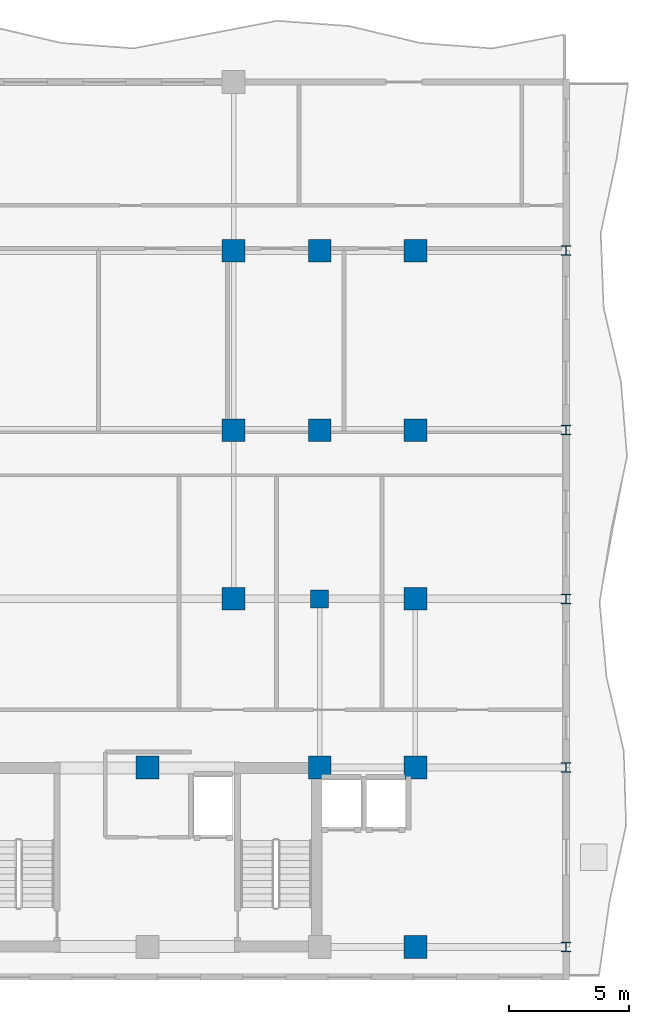
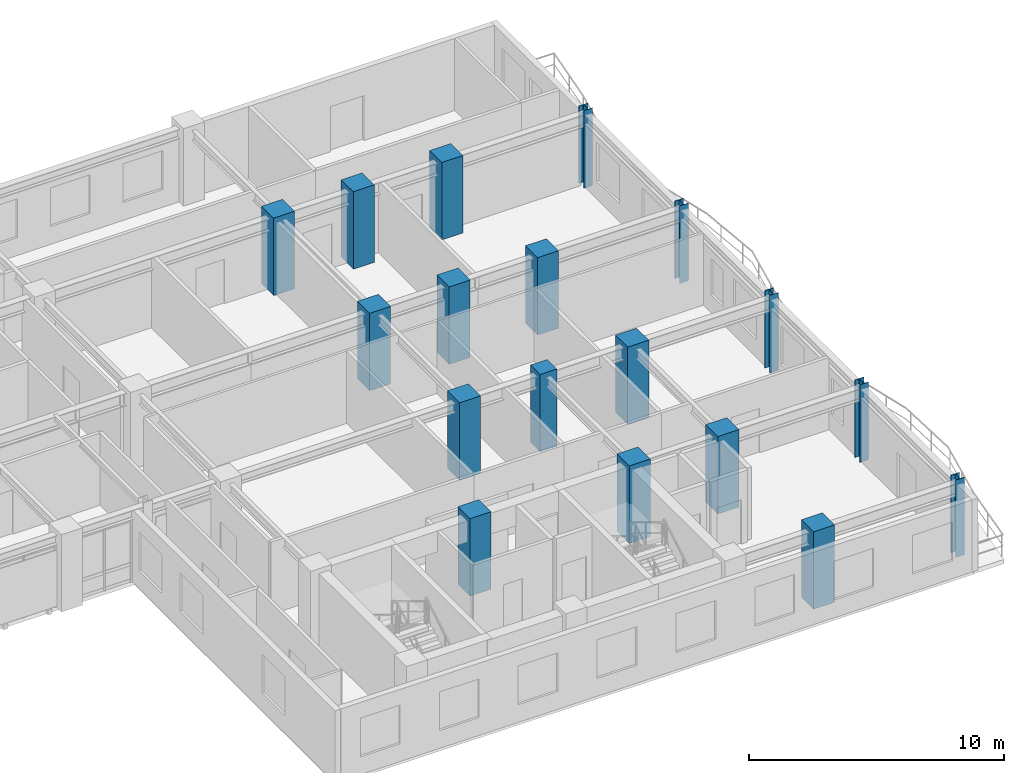
# One storey, part 2 of 16: 18 columns.
"""IFC4 building model written with IfcOpenShell, lengths in metres."""

from ifc_helpers import new_model, si_unit, direction, frame, origin, origin_2d, place, context, subcontext, project, spatial, rectangle, i_section, extrude, source, transform, mapped, material, material_profile, profile_set, type_object, element, save


model = new_model("IFC4")

# Units and contexts
model_context = context("Model", 3, precision=1e-05, world=origin(), true_north=direction((0.0, 1.0)))
body_context = subcontext(model_context, "Body", "Model", "MODEL_VIEW")
ifc_project = project(units=[si_unit("LENGTHUNIT", "METRE"), si_unit("AREAUNIT", "SQUARE_METRE"), si_unit("VOLUMEUNIT", "CUBIC_METRE"), si_unit("PLANEANGLEUNIT", "RADIAN"), si_unit("MASSUNIT", "GRAM", prefix="KILO")], contexts=[model_context])

# Site, building, storey
site_placement = place(None, origin())
site = spatial("IfcSite", under=ifc_project, at=site_placement, CompositionType="ELEMENT")
building_placement = place(site_placement, origin())
building = spatial("IfcBuilding", under=site, at=building_placement, Name="Kaliganga Portal Commons", CompositionType="ELEMENT")
storey_placement = place(building_placement, frame((0.0, 0.0, 205.5)))
storey = spatial("IfcBuildingStorey", under=building, at=storey_placement, Name="L52", CompositionType="ELEMENT", Elevation=205.5)

# Columns
ifc_material_1 = material(Name="Concrete C60/75", Category="concrete")
ifc_material_profile_1 = material_profile(ifc_material_1, rectangle(XDim=0.75, YDim=0.75, at=origin_2d()), Name="RC 750x750")
ifc_profile_set_1 = profile_set([ifc_material_profile_1], Name="Concrete C60/75")
column_type_1 = type_object("IfcColumnType", Name="COL-PILASTER-RC", PredefinedType="PILASTER", material=ifc_profile_set_1)
shared_shape_1 = source(origin(), body_context, "Body", "SweptSolid", [
    extrude(rectangle(XDim=0.75, YDim=0.75, at=origin_2d()), origin(), (0.0, 0.0, 1.0), 3.699951171875),
])
column_placement = place(storey_placement, frame((50.39990234375, 21.60009765625, 0.0), z_axis=(0.0, 0.0, 1.0), x_axis=(1.0, 0.0, 0.0)))
element("IfcColumn", 1, at=column_placement, inside=storey, type_object=column_type_1, Name="Column CP-01 L52", PredefinedType="PILASTER", context=body_context, shape_type="MappedRepresentation", body=[
    mapped(shared_shape_1, transform((0.0, 0.0, 0.0), x_axis=(1.0, 0.0, 0.0), y_axis=(0.0, 1.0, 0.0), z_axis=(0.0, 0.0, 1.0), scale=1.0)),
])
ifc_material_2 = material(Name="Concrete C50/60", Category="concrete")
ifc_material_profile_2 = material_profile(ifc_material_2, rectangle(XDim=0.949951171875, YDim=0.949951171875, at=origin_2d()), Name="RC 950x950")
ifc_profile_set_2 = profile_set([ifc_material_profile_2], Name="Concrete C50/60")
column_type_2 = type_object("IfcColumnType", Name="COL-MEGA-Z4", PredefinedType="COLUMN", material=ifc_profile_set_2)
shared_shape_2 = source(origin(), body_context, "Body", "SweptSolid", [
    extrude(rectangle(XDim=0.949951171875, YDim=0.949951171875, at=origin_2d()), origin(), (0.0, 0.0, 1.0), 3.699951171875),
])
for number, where, z_axis, x_axis, name in (
    (2, (46.800048828125, 21.60009765625, 0.0), (0.0, 0.0, 1.0), (1.0, 0.0, 0.0), "Column MC-05 L52"),
    (3, (46.800048828125, 28.64990234375, 0.0), (0.0, 0.0, 1.0), (1.0, 0.0, 0.0), "Column MC-05 L52"),
    (4, (46.800048828125, 36.14990234375, 0.0), (0.0, 0.0, 1.0), (1.0, 0.0, 0.0), "Column MC-05 L52"),
    (5, (43.199951171875, 14.550048828125, 0.0), (0.0, 0.0, 1.0), (1.0, 0.0, 0.0), "Column MC-05 L52"),
    (6, (50.39990234375, 14.550048828125, 0.0), (0.0, 0.0, 1.0), (1.0, 0.0, 0.0), "Column MC-05 L52"),
    (7, (50.39990234375, 28.64990234375, 0.0), (0.0, 0.0, 1.0), (1.0, 0.0, 0.0), "Column MC-05 L52"),
    (8, (50.39990234375, 36.14990234375, 0.0), (0.0, 0.0, 1.0), (1.0, 0.0, 0.0), "Column MC-05 L52"),
    (9, (54.39990234375, 7.050048828125, 0.0), (0.0, 0.0, 1.0), (1.0, 0.0, 0.0), "Column MC-05 L52"),
    (10, (54.39990234375, 14.550048828125, 0.0), (0.0, 0.0, 1.0), (1.0, 0.0, 0.0), "Column MC-05 L52"),
    (11, (54.39990234375, 21.60009765625, 0.0), (0.0, 0.0, 1.0), (1.0, 0.0, 0.0), "Column MC-05 L52"),
    (12, (54.39990234375, 28.64990234375, 0.0), (0.0, 0.0, 1.0), (1.0, 0.0, 0.0), "Column MC-05 L52"),
    (13, (54.39990234375, 36.14990234375, 0.0), (0.0, 0.0, 1.0), (1.0, 0.0, 0.0), "Column MC-05 L52"),
):
    element("IfcColumn", number, at=place(storey_placement, frame(where, z_axis=z_axis, x_axis=x_axis)), inside=storey, type_object=column_type_2, Name=name, PredefinedType="COLUMN", context=body_context, shape_type="MappedRepresentation", body=[
        mapped(shared_shape_2, transform((0.0, 0.0, 0.0), x_axis=(1.0, 0.0, 0.0), y_axis=(0.0, 1.0, 0.0), z_axis=(0.0, 0.0, 1.0), scale=1.0)),
    ])
ifc_material_3 = material(Name="Structural steel S355J2", Category="steel")
ifc_material_profile_3 = material_profile(ifc_material_3, i_section(OverallWidth=0.39892578125, OverallDepth=0.39990234375, WebThickness=0.017333984375, FlangeThickness=0.0234375, FilletRadius=0.014892578125, at=origin_2d()), Name="HD 400x287")
ifc_profile_set_3 = profile_set([ifc_material_profile_3], Name="Structural steel S355J2 wide-flange")
column_type_3 = type_object("IfcColumnType", Name="COL-TUBE-B4", PredefinedType="COLUMN", material=ifc_profile_set_3)
shared_shape_3 = source(origin(), body_context, "Body", "SweptSolid", [
    extrude(i_section(OverallWidth=0.39892578125, OverallDepth=0.39990234375, WebThickness=0.017333984375, FlangeThickness=0.0234375, FilletRadius=0.014892578125, at=origin_2d()), origin(), (0.0, 0.0, 1.0), 3.699951171875),
])
for number, where, z_axis, x_axis, name in (
    (14, (60.699951171875, 7.050048828125, 0.0), (0.0, 0.0, 1.0), (1.0, 0.0, 0.0), "Column TC-04 L52"),
    (15, (60.699951171875, 14.550048828125, 0.0), (0.0, 0.0, 1.0), (1.0, 0.0, 0.0), "Column TC-04 L52"),
    (16, (60.699951171875, 21.60009765625, 0.0), (0.0, 0.0, 1.0), (1.0, 0.0, 0.0), "Column TC-04 L52"),
    (17, (60.699951171875, 28.64990234375, 0.0), (0.0, 0.0, 1.0), (1.0, 0.0, 0.0), "Column TC-04 L52"),
    (18, (60.699951171875, 36.14990234375, 0.0), (0.0, 0.0, 1.0), (1.0, 0.0, 0.0), "Column TC-04 L52"),
):
    element("IfcColumn", number, at=place(storey_placement, frame(where, z_axis=z_axis, x_axis=x_axis)), inside=storey, type_object=column_type_3, Name=name, PredefinedType="COLUMN", context=body_context, shape_type="MappedRepresentation", body=[
        mapped(shared_shape_3, transform((0.0, 0.0, 0.0), x_axis=(1.0, 0.0, 0.0), y_axis=(0.0, 1.0, 0.0), z_axis=(0.0, 0.0, 1.0), scale=1.0)),
    ])

save(model, "model.ifc")
